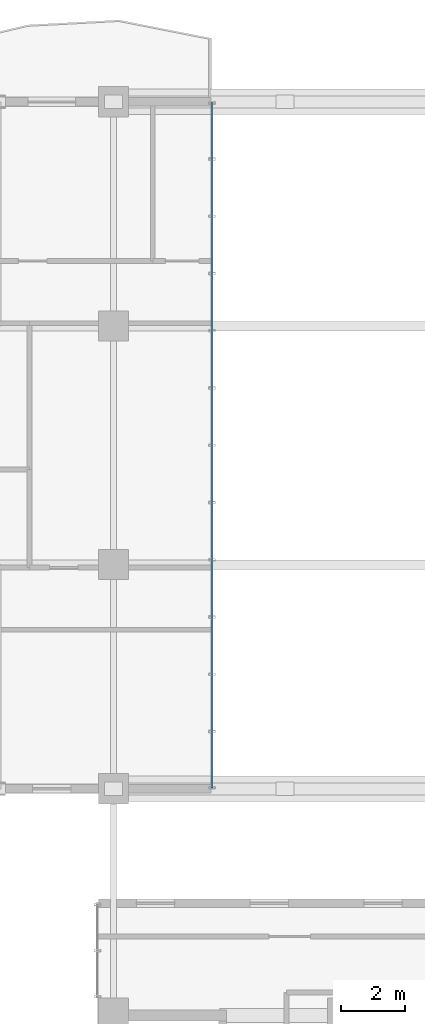
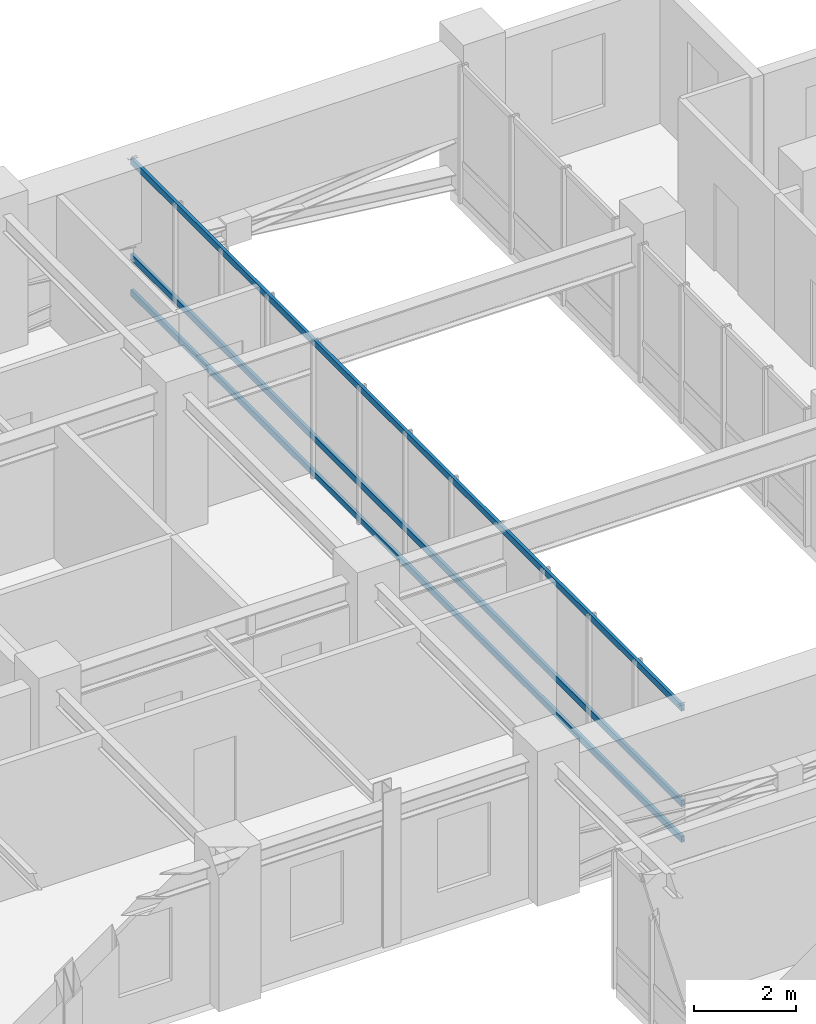
# One storey, part 11 of 23: 3 members, 1 element without a shape of its own.
"""IFC4 building model written with IfcOpenShell, lengths in metres."""

from ifc_helpers import new_model, si_unit, direction, frame, origin, origin_2d, place, context, subcontext, project, spatial, hollow_rectangle, extrude, source, transform, mapped, material, layer, layer_set, material_profile, profile_set, type_object, element, aggregate, save


model = new_model("IFC4")

# Units and contexts
model_context = context("Model", 3, precision=1e-05, world=origin(), true_north=direction((0.0, 1.0)))
body_context = subcontext(model_context, "Body", "Model", "MODEL_VIEW")
ifc_project = project(units=[si_unit("LENGTHUNIT", "METRE"), si_unit("AREAUNIT", "SQUARE_METRE"), si_unit("VOLUMEUNIT", "CUBIC_METRE"), si_unit("PLANEANGLEUNIT", "RADIAN"), si_unit("MASSUNIT", "GRAM", prefix="KILO")], contexts=[model_context])

# Site, building, storey
site_placement = place(None, origin())
site = spatial("IfcSite", under=ifc_project, at=site_placement, CompositionType="ELEMENT")
building_placement = place(site_placement, origin())
building = spatial("IfcBuilding", under=site, at=building_placement, Name="Kaliganga Portal Commons", CompositionType="ELEMENT")
storey_placement = place(building_placement, frame((0.0, 0.0, 246.199951171875)))
storey = spatial("IfcBuildingStorey", under=building, at=storey_placement, Name="L63", CompositionType="ELEMENT", Elevation=246.199951171875)

# Curtain wall, members
ifc_material_1 = material(Name="Anodized Aluminium and Laminated Low-E Glass", Category="aluminium")
ifc_layer = layer(ifc_material_1, 0.239990234375)
ifc_layer_set = layer_set([ifc_layer], Name="Anodized Aluminium and Laminated Low-E Glass")
curtain_wall_type = type_object("IfcCurtainWallType", Name="CW-SYS-04", PredefinedType="NOTDEFINED", material=ifc_layer_set)
curtain_wall_placement = place(storey_placement, origin())
curtain_wall = element("IfcCurtainWall", 1, at=curtain_wall_placement, inside=storey, type_object=curtain_wall_type, Name="CW 04 L63 P1E01S1", PredefinedType="NOTDEFINED")
ifc_material_2 = material(Name="Dark Bronze Anodized Aluminium", Category="aluminium")
ifc_material_profile = material_profile(ifc_material_2, hollow_rectangle(XDim=0.070068359375, YDim=0.14990234375, WallThickness=0.00341796875, at=origin_2d()), Name="ALU TRAN 70x150x3.5")
ifc_profile_set = profile_set([ifc_material_profile], Name="Dark Bronze Anodized Aluminium")
member_type = type_object("IfcMemberType", Name="CW-TRN-150", PredefinedType="USERDEFINED", material=ifc_profile_set)
shared_shape = source(origin(), body_context, "Body", "SweptSolid", [
    extrude(hollow_rectangle(XDim=0.070068359375, YDim=0.14990234375, WallThickness=0.00341796875, at=origin_2d()), origin(), (0.0, 0.0, 1.0), 21.559814453125),
])
member_1_placement = place(storey_placement, frame((39.10009765625, 21.6201171875, 0.06005859375), z_axis=(0.0, 1.0, 0.0), x_axis=(-1.0, 0.0, 0.0)))
member_1 = element("IfcMember", 2, at=member_1_placement, type_object=member_type, Name="CW:04:L63:P1E01S1 Transom 1", ObjectType="TRANSOM", PredefinedType="USERDEFINED", context=body_context, shape_type="MappedRepresentation", body=[
    mapped(shared_shape, transform((0.0, 0.0, 0.0), x_axis=(1.0, 0.0, 0.0), y_axis=(0.0, 1.0, 0.0), z_axis=(0.0, 0.0, 1.0), scale=1.0)),
])
member_2_placement = place(storey_placement, frame((39.10009765625, 21.6201171875, 0.91845703125), z_axis=(0.0, 1.0, 0.0), x_axis=(-1.0, 0.0, 0.0)))
member_2 = element("IfcMember", 3, at=member_2_placement, type_object=member_type, Name="CW:04:L63:P1E01S1 Transom 2", ObjectType="TRANSOM", PredefinedType="USERDEFINED", context=body_context, shape_type="MappedRepresentation", body=[
    mapped(shared_shape, transform((0.0, 0.0, 0.0), x_axis=(1.0, 0.0, 0.0), y_axis=(0.0, 1.0, 0.0), z_axis=(0.0, 0.0, 1.0), scale=1.0)),
])
member_3_placement = place(storey_placement, frame((39.10009765625, 21.6201171875, 3.199951171875), z_axis=(0.0, 1.0, 0.0), x_axis=(-1.0, 0.0, 0.0)))
member_3 = element("IfcMember", 4, at=member_3_placement, type_object=member_type, Name="CW:04:L63:P1E01S1 Transom 3", ObjectType="TRANSOM", PredefinedType="USERDEFINED", context=body_context, shape_type="MappedRepresentation", body=[
    mapped(shared_shape, transform((0.0, 0.0, 0.0), x_axis=(1.0, 0.0, 0.0), y_axis=(0.0, 1.0, 0.0), z_axis=(0.0, 0.0, 1.0), scale=1.0)),
])
aggregate(curtain_wall, [member_1, member_2, member_3])

save(model, "model.ifc")
